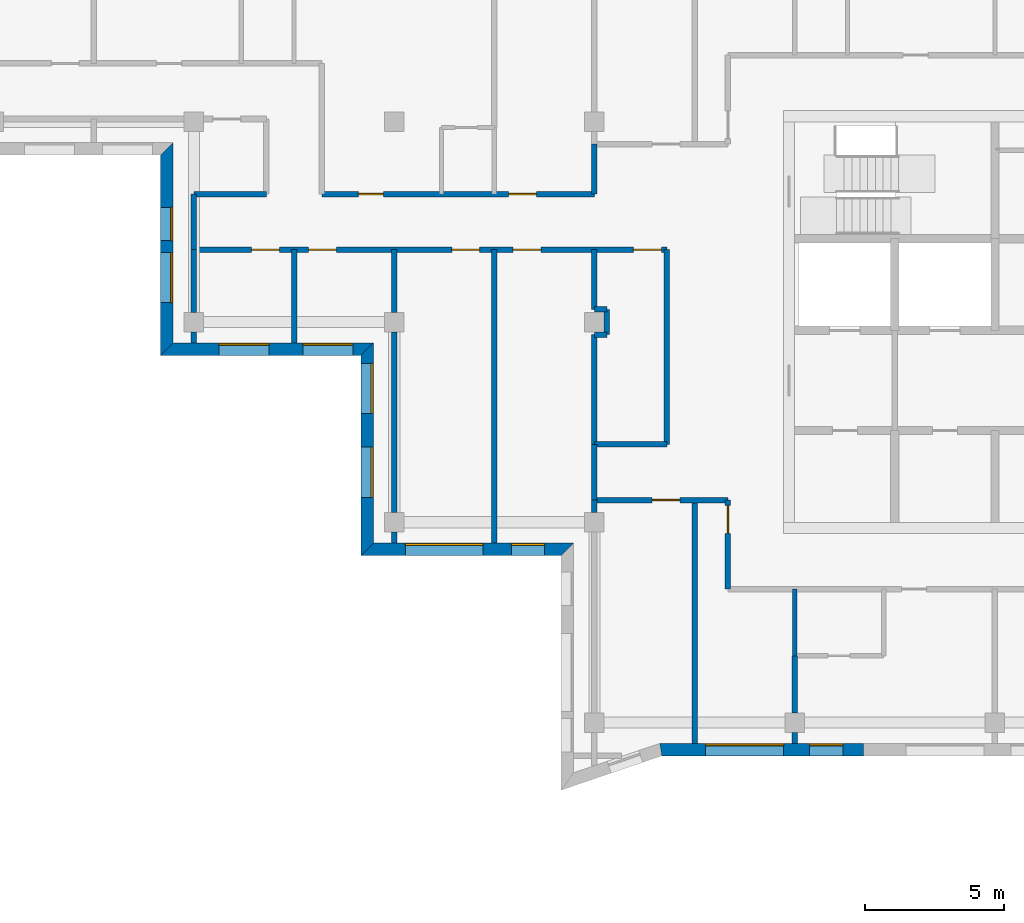
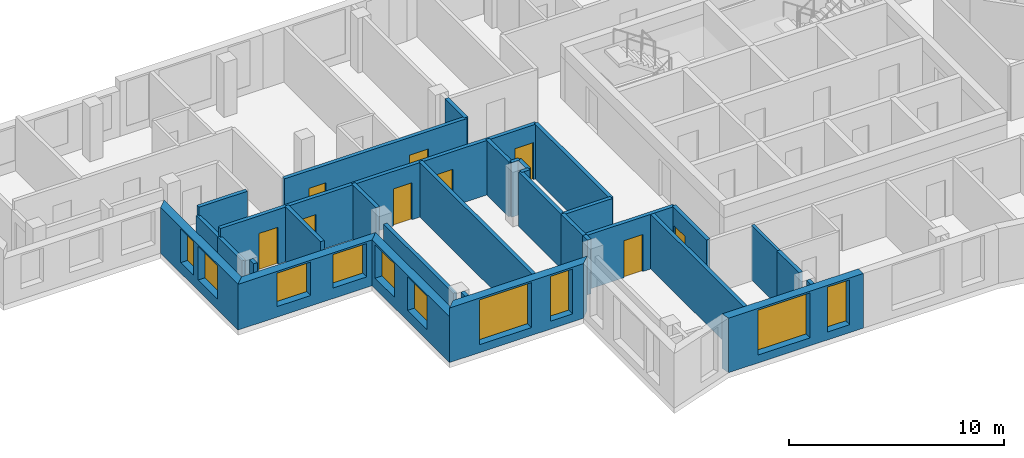
# One storey, part 2 of 11: 32 walls, 10 windows, 9 doors, 19 openings.
"""IFC4 building model written with IfcOpenShell, lengths in metres."""

from ifc_helpers import new_model, si_unit, direction, frame, frame_2d, origin, place, context, subcontext, project, spatial, polyline, rectangle, outline, extrude, material, layer, layer_set, type_object, element, fill, save


model = new_model("IFC4")

# Units and contexts
model_context = context("Model", 3, precision=1e-05, world=origin(), true_north=direction((0.0, 1.0)))
body_context = subcontext(model_context, "Body", "Model", "MODEL_VIEW")
ifc_project = project(units=[si_unit("LENGTHUNIT", "METRE"), si_unit("AREAUNIT", "SQUARE_METRE"), si_unit("VOLUMEUNIT", "CUBIC_METRE"), si_unit("PLANEANGLEUNIT", "RADIAN"), si_unit("MASSUNIT", "GRAM", prefix="KILO")], contexts=[model_context])

# Site, building, storey
site_placement = place(None, origin())
site = spatial("IfcSite", under=ifc_project, at=site_placement, CompositionType="ELEMENT")
building_placement = place(site_placement, origin())
building = spatial("IfcBuilding", under=site, at=building_placement, Name="Windrow Commons", CompositionType="ELEMENT")
storey_placement = place(building_placement, frame((0.0, 0.0, 281.2)))
storey = spatial("IfcBuildingStorey", under=building, at=storey_placement, Name="L77", CompositionType="ELEMENT", Elevation=281.2)

# Wall, openings, windows
ifc_material_1 = material(Name="Brick masonry, red clay brick", Category="masonry")
ifc_layer_1 = layer(ifc_material_1, 0.45)
ifc_layer_set_1 = layer_set([ifc_layer_1], Name="Brick facade wall 450")
wall_type_1 = type_object("IfcWallType", Name="Brick facade wall 450", PredefinedType="SOLIDWALL", material=ifc_layer_set_1)
wall_1_placement = place(storey_placement, frame((35.025, 63.825, 0.0), z_axis=(0.0, 0.0, 1.0), x_axis=(0.0, -1.0, 0.0)))
wall_1 = element("IfcWall", 1, at=wall_1_placement, inside=storey, type_object=wall_type_1, Name="Brick facade wall L77 24", PredefinedType="SOLIDWALL", context=body_context, shape_type="SweptSolid", body=[
    extrude(outline(polyline([(0.225, -0.225), (7.425, -0.225), (6.975, 0.225), (-0.225, 0.225), (0.225, -0.225)])), origin(), (0.0, 0.0, 1.0), 2.6),
])
opening_1_placement = place(wall_1_placement, frame((3.725, 0.0, 0.6)))
opening_1 = element("IfcOpeningElement", 2, at=opening_1_placement, cuts=wall_1, Name="Opening W1L", PredefinedType="OPENING", context=body_context, shape_type="SweptSolid", body=[
    extrude(rectangle(XDim=1.8, YDim=1.9, at=frame_2d((0.9, 0.95))), frame((0.0, 0.235, 0.0), z_axis=(0.0, -1.0, 0.0), x_axis=(1.0, 0.0, 0.0)), (0.0, 0.0, 1.0), 0.47),
])
opening_2_placement = place(wall_1_placement, frame((2.1, 0.0, 0.6)))
opening_2 = element("IfcOpeningElement", 3, at=opening_2_placement, cuts=wall_1, Name="Opening W7G", PredefinedType="OPENING", context=body_context, shape_type="SweptSolid", body=[
    extrude(rectangle(XDim=1.2, YDim=1.9, at=frame_2d((0.6, 0.95))), frame((0.0, 0.235, 0.0), z_axis=(0.0, -1.0, 0.0), x_axis=(1.0, 0.0, 0.0)), (0.0, 0.0, 1.0), 0.47),
])
ifc_material_2 = material(Name="Clear float glass in anodised aluminium frame", Category="aluminium")
window_type_1 = type_object("IfcWindowType", Name="Window W1L bedroom 1800x1900", PartitioningType="SINGLE_PANEL", PredefinedType="WINDOW", material=ifc_material_2)
window_1_placement = place(opening_1_placement, origin())
window_1 = element("IfcWindow", 4, at=window_1_placement, inside=storey, type_object=window_type_1, Name="Window L77 24.2", OverallHeight=1.9, OverallWidth=1.8, PartitioningType="SINGLE_PANEL", PredefinedType="WINDOW", context=body_context, shape_type="SweptSolid", body=[
    extrude(rectangle(XDim=1.8, YDim=1.9, at=frame_2d((0.9, 0.95))), frame((0.0, 0.205, 0.0), z_axis=(0.0, -1.0, 0.0), x_axis=(1.0, 0.0, 0.0)), (0.0, 0.0, 1.0), 0.06),
])
fill(opening_1, window_1)
ifc_material_3 = material(Name="Clear float glass in anodised aluminium frame", Category="aluminium")
window_type_2 = type_object("IfcWindowType", Name="Window W7 notch 1200x1900", PartitioningType="SINGLE_PANEL", PredefinedType="WINDOW", material=ifc_material_3)
window_2_placement = place(opening_2_placement, origin())
window_2 = element("IfcWindow", 5, at=window_2_placement, inside=storey, type_object=window_type_2, Name="Window L77 24.1A", OverallHeight=1.9, OverallWidth=1.2, PartitioningType="SINGLE_PANEL", PredefinedType="WINDOW", context=body_context, shape_type="SweptSolid", body=[
    extrude(rectangle(XDim=1.2, YDim=1.9, at=frame_2d((0.6, 0.95))), frame((0.0, 0.205, 0.0), z_axis=(0.0, -1.0, 0.0), x_axis=(1.0, 0.0, 0.0)), (0.0, 0.0, 1.0), 0.06),
])
fill(opening_2, window_2)

wall_2_placement = place(storey_placement, frame((35.025, 56.625, 0.0), z_axis=(0.0, 0.0, 1.0), x_axis=(1.0, 0.0, 0.0)))
wall_2 = element("IfcWall", 6, at=wall_2_placement, inside=storey, type_object=wall_type_1, Name="Brick facade wall L77 25", PredefinedType="SOLIDWALL", context=body_context, shape_type="SweptSolid", body=[
    extrude(outline(polyline([(-0.225, -0.225), (6.975, -0.225), (7.425, 0.225), (0.225, 0.225), (-0.225, -0.225)])), origin(), (0.0, 0.0, 1.0), 2.6),
])
opening_3_placement = place(wall_2_placement, frame((1.875, 0.0, 0.6)))
opening_3 = element("IfcOpeningElement", 7, at=opening_3_placement, cuts=wall_2, Name="Opening W1L", PredefinedType="OPENING", context=body_context, shape_type="SweptSolid", body=[
    extrude(rectangle(XDim=1.8, YDim=1.9, at=frame_2d((0.9, 0.95))), frame((0.0, 0.235, 0.0), z_axis=(0.0, -1.0, 0.0), x_axis=(1.0, 0.0, 0.0)), (0.0, 0.0, 1.0), 0.47),
])
opening_4_placement = place(wall_2_placement, frame((4.8875, 0.0, 0.6)))
opening_4 = element("IfcOpeningElement", 8, at=opening_4_placement, cuts=wall_2, Name="Opening W1L", PredefinedType="OPENING", context=body_context, shape_type="SweptSolid", body=[
    extrude(rectangle(XDim=1.8, YDim=1.9, at=frame_2d((0.9, 0.95))), frame((0.0, 0.235, 0.0), z_axis=(0.0, -1.0, 0.0), x_axis=(1.0, 0.0, 0.0)), (0.0, 0.0, 1.0), 0.47),
])
window_3_placement = place(opening_3_placement, origin())
window_3 = element("IfcWindow", 9, at=window_3_placement, inside=storey, type_object=window_type_1, Name="Window L77 25.1", OverallHeight=1.9, OverallWidth=1.8, PartitioningType="SINGLE_PANEL", PredefinedType="WINDOW", context=body_context, shape_type="SweptSolid", body=[
    extrude(rectangle(XDim=1.8, YDim=1.9, at=frame_2d((0.9, 0.95))), frame((0.0, 0.205, 0.0), z_axis=(0.0, -1.0, 0.0), x_axis=(1.0, 0.0, 0.0)), (0.0, 0.0, 1.0), 0.06),
])
fill(opening_3, window_3)
window_4_placement = place(opening_4_placement, origin())
window_4 = element("IfcWindow", 10, at=window_4_placement, inside=storey, type_object=window_type_1, Name="Window L77 25.2", OverallHeight=1.9, OverallWidth=1.8, PartitioningType="SINGLE_PANEL", PredefinedType="WINDOW", context=body_context, shape_type="SweptSolid", body=[
    extrude(rectangle(XDim=1.8, YDim=1.9, at=frame_2d((0.9, 0.95))), frame((0.0, 0.205, 0.0), z_axis=(0.0, -1.0, 0.0), x_axis=(1.0, 0.0, 0.0)), (0.0, 0.0, 1.0), 0.06),
])
fill(opening_4, window_4)

wall_3_placement = place(storey_placement, frame((42.225, 56.625, 0.0), z_axis=(0.0, 0.0, 1.0), x_axis=(0.0, -1.0, 0.0)))
wall_3 = element("IfcWall", 11, at=wall_3_placement, inside=storey, type_object=wall_type_1, Name="Brick facade wall L77 26", PredefinedType="SOLIDWALL", context=body_context, shape_type="SweptSolid", body=[
    extrude(outline(polyline([(0.225, -0.225), (7.425, -0.225), (6.975, 0.225), (-0.225, 0.225), (0.225, -0.225)])), origin(), (0.0, 0.0, 1.0), 2.6),
])
opening_5_placement = place(wall_3_placement, frame((0.5125, 0.0, 0.6)))
opening_5 = element("IfcOpeningElement", 12, at=opening_5_placement, cuts=wall_3, Name="Opening W1L", PredefinedType="OPENING", context=body_context, shape_type="SweptSolid", body=[
    extrude(rectangle(XDim=1.8, YDim=1.9, at=frame_2d((0.9, 0.95))), frame((0.0, 0.235, 0.0), z_axis=(0.0, -1.0, 0.0), x_axis=(1.0, 0.0, 0.0)), (0.0, 0.0, 1.0), 0.47),
])
opening_6_placement = place(wall_3_placement, frame((3.525, 0.0, 0.6)))
opening_6 = element("IfcOpeningElement", 13, at=opening_6_placement, cuts=wall_3, Name="Opening W1L", PredefinedType="OPENING", context=body_context, shape_type="SweptSolid", body=[
    extrude(rectangle(XDim=1.8, YDim=1.9, at=frame_2d((0.9, 0.95))), frame((0.0, 0.235, 0.0), z_axis=(0.0, -1.0, 0.0), x_axis=(1.0, 0.0, 0.0)), (0.0, 0.0, 1.0), 0.47),
])
window_5_placement = place(opening_5_placement, origin())
window_5 = element("IfcWindow", 14, at=window_5_placement, inside=storey, type_object=window_type_1, Name="Window L77 26.1", OverallHeight=1.9, OverallWidth=1.8, PartitioningType="SINGLE_PANEL", PredefinedType="WINDOW", context=body_context, shape_type="SweptSolid", body=[
    extrude(rectangle(XDim=1.8, YDim=1.9, at=frame_2d((0.9, 0.95))), frame((0.0, 0.205, 0.0), z_axis=(0.0, -1.0, 0.0), x_axis=(1.0, 0.0, 0.0)), (0.0, 0.0, 1.0), 0.06),
])
fill(opening_5, window_5)
window_6_placement = place(opening_6_placement, origin())
window_6 = element("IfcWindow", 15, at=window_6_placement, inside=storey, type_object=window_type_1, Name="Window L77 26.2", OverallHeight=1.9, OverallWidth=1.8, PartitioningType="SINGLE_PANEL", PredefinedType="WINDOW", context=body_context, shape_type="SweptSolid", body=[
    extrude(rectangle(XDim=1.8, YDim=1.9, at=frame_2d((0.9, 0.95))), frame((0.0, 0.205, 0.0), z_axis=(0.0, -1.0, 0.0), x_axis=(1.0, 0.0, 0.0)), (0.0, 0.0, 1.0), 0.06),
])
fill(opening_6, window_6)

wall_4_placement = place(storey_placement, frame((42.225, 49.425, 0.0), z_axis=(0.0, 0.0, 1.0), x_axis=(1.0, 0.0, 0.0)))
wall_4 = element("IfcWall", 16, at=wall_4_placement, inside=storey, type_object=wall_type_1, Name="Brick facade wall L77 27", PredefinedType="SOLIDWALL", context=body_context, shape_type="SweptSolid", body=[
    extrude(outline(polyline([(-0.225, -0.225), (6.975, -0.225), (7.425, 0.225), (0.225, 0.225), (-0.225, -0.225)])), origin(), (0.0, 0.0, 1.0), 3.1),
])
opening_7_placement = place(wall_4_placement, frame((1.375, 0.0, 0.45)))
opening_7 = element("IfcOpeningElement", 17, at=opening_7_placement, cuts=wall_4, Name="Opening W1V", PredefinedType="OPENING", context=body_context, shape_type="SweptSolid", body=[
    extrude(rectangle(XDim=2.8, YDim=2.55, at=frame_2d((1.4, 1.275))), frame((0.0, 0.235, 0.0), z_axis=(0.0, -1.0, 0.0), x_axis=(1.0, 0.0, 0.0)), (0.0, 0.0, 1.0), 0.47),
])
opening_8_placement = place(wall_4_placement, frame((5.1875, 0.0, 0.45)))
opening_8 = element("IfcOpeningElement", 18, at=opening_8_placement, cuts=wall_4, Name="Opening W7F", PredefinedType="OPENING", context=body_context, shape_type="SweptSolid", body=[
    extrude(rectangle(XDim=1.2, YDim=2.55, at=frame_2d((0.6, 1.275))), frame((0.0, 0.235, 0.0), z_axis=(0.0, -1.0, 0.0), x_axis=(1.0, 0.0, 0.0)), (0.0, 0.0, 1.0), 0.47),
])
ifc_material_4 = material(Name="Clear float glass in anodised aluminium frame", Category="aluminium")
window_type_3 = type_object("IfcWindowType", Name="Window W1V bedroom 2800x2550", PartitioningType="SINGLE_PANEL", PredefinedType="WINDOW", material=ifc_material_4)
window_7_placement = place(opening_7_placement, origin())
window_7 = element("IfcWindow", 19, at=window_7_placement, inside=storey, type_object=window_type_3, Name="Window L77 27.1", OverallHeight=2.55, OverallWidth=2.8, PartitioningType="SINGLE_PANEL", PredefinedType="WINDOW", context=body_context, shape_type="SweptSolid", body=[
    extrude(rectangle(XDim=2.8, YDim=2.55, at=frame_2d((1.4, 1.275))), frame((0.0, 0.205, 0.0), z_axis=(0.0, -1.0, 0.0), x_axis=(1.0, 0.0, 0.0)), (0.0, 0.0, 1.0), 0.06),
])
fill(opening_7, window_7)
ifc_material_5 = material(Name="Clear float glass in anodised aluminium frame", Category="aluminium")
window_type_4 = type_object("IfcWindowType", Name="Window W7 notch 1200x2550", PartitioningType="SINGLE_PANEL", PredefinedType="WINDOW", material=ifc_material_5)
window_8_placement = place(opening_8_placement, origin())
window_8 = element("IfcWindow", 20, at=window_8_placement, inside=storey, type_object=window_type_4, Name="Window L77 27.2", OverallHeight=2.55, OverallWidth=1.2, PartitioningType="SINGLE_PANEL", PredefinedType="WINDOW", context=body_context, shape_type="SweptSolid", body=[
    extrude(rectangle(XDim=1.2, YDim=2.55, at=frame_2d((0.6, 1.275))), frame((0.0, 0.205, 0.0), z_axis=(0.0, -1.0, 0.0), x_axis=(1.0, 0.0, 0.0)), (0.0, 0.0, 1.0), 0.06),
])
fill(opening_8, window_8)

wall_5_placement = place(storey_placement, frame((52.7864, 42.225, 0.0), z_axis=(0.0, 0.0, 1.0), x_axis=(1.0, 0.0, 0.0)))
wall_5 = element("IfcWall", 21, at=wall_5_placement, inside=storey, type_object=wall_type_1, Name="Brick facade wall L77 30", PredefinedType="SOLIDWALL", context=body_context, shape_type="SweptSolid", body=[
    extrude(outline(polyline([(0.0372, -0.225), (7.2845, -0.225), (7.2845, 0.225), (-0.0372, 0.225), (0.0372, -0.225)])), origin(), (0.0, 0.0, 1.0), 3.1),
])
opening_9_placement = place(wall_5_placement, frame((1.6136, 0.0, 0.45)))
opening_9 = element("IfcOpeningElement", 22, at=opening_9_placement, cuts=wall_5, Name="Opening W1V", PredefinedType="OPENING", context=body_context, shape_type="SweptSolid", body=[
    extrude(rectangle(XDim=2.8, YDim=2.55, at=frame_2d((1.4, 1.275))), frame((0.0, 0.235, 0.0), z_axis=(0.0, -1.0, 0.0), x_axis=(1.0, 0.0, 0.0)), (0.0, 0.0, 1.0), 0.47),
])
opening_10_placement = place(wall_5_placement, frame((5.349, 0.0, 0.45)))
opening_10 = element("IfcOpeningElement", 23, at=opening_10_placement, cuts=wall_5, Name="Opening W7F", PredefinedType="OPENING", context=body_context, shape_type="SweptSolid", body=[
    extrude(rectangle(XDim=1.2, YDim=2.55, at=frame_2d((0.6, 1.275))), frame((0.0, 0.235, 0.0), z_axis=(0.0, -1.0, 0.0), x_axis=(1.0, 0.0, 0.0)), (0.0, 0.0, 1.0), 0.47),
])
window_9_placement = place(opening_9_placement, origin())
window_9 = element("IfcWindow", 24, at=window_9_placement, inside=storey, type_object=window_type_3, Name="Window L77 30.1", OverallHeight=2.55, OverallWidth=2.8, PartitioningType="SINGLE_PANEL", PredefinedType="WINDOW", context=body_context, shape_type="SweptSolid", body=[
    extrude(rectangle(XDim=2.8, YDim=2.55, at=frame_2d((1.4, 1.275))), frame((0.0, 0.205, 0.0), z_axis=(0.0, -1.0, 0.0), x_axis=(1.0, 0.0, 0.0)), (0.0, 0.0, 1.0), 0.06),
])
fill(opening_9, window_9)
window_10_placement = place(opening_10_placement, origin())
window_10 = element("IfcWindow", 25, at=window_10_placement, inside=storey, type_object=window_type_4, Name="Window L77 30.2", OverallHeight=2.55, OverallWidth=1.2, PartitioningType="SINGLE_PANEL", PredefinedType="WINDOW", context=body_context, shape_type="SweptSolid", body=[
    extrude(rectangle(XDim=1.2, YDim=2.55, at=frame_2d((0.6, 1.275))), frame((0.0, 0.205, 0.0), z_axis=(0.0, -1.0, 0.0), x_axis=(1.0, 0.0, 0.0)), (0.0, 0.0, 1.0), 0.06),
])
fill(opening_10, window_10)

# Wall, openings, doors
ifc_material_6 = material(Name="Blockwork partition", Category="masonry")
ifc_layer_2 = layer(ifc_material_6, 0.2)
ifc_layer_set_2 = layer_set([ifc_layer_2], Name="IW-CORRIDOR-200")
wall_type_2 = type_object("IfcWallType", Name="IW-CORRIDOR-200", PredefinedType="PARTITIONING", material=ifc_layer_set_2)
wall_6_placement = place(storey_placement, frame((36.0, 60.2, 0.0), z_axis=(0.0, 0.0, 1.0), x_axis=(1.0, 0.0, 0.0)))
wall_6 = element("IfcWall", 26, at=wall_6_placement, inside=storey, type_object=wall_type_2, Name="W-L77-W002", PredefinedType="PARTITIONING", context=body_context, shape_type="SweptSolid", body=[
    extrude(rectangle(XDim=17.0, YDim=0.2, at=frame_2d((8.5, 0.0))), origin(), (0.0, 0.0, 1.0), 3.1),
])
opening_11_placement = place(wall_6_placement, frame((15.8022, 0.0, 0.0)))
opening_11 = element("IfcOpeningElement", 27, at=opening_11_placement, cuts=wall_6, Name="Opening D410F", PredefinedType="OPENING", context=body_context, shape_type="SweptSolid", body=[
    extrude(rectangle(XDim=1.0, YDim=2.1, at=frame_2d((0.5, 1.05))), frame((0.0, 0.11, 0.0), z_axis=(0.0, -1.0, 0.0), x_axis=(1.0, 0.0, 0.0)), (0.0, 0.0, 1.0), 0.22),
])
opening_12_placement = place(wall_6_placement, frame((2.075, 0.0, 0.0)))
opening_12 = element("IfcOpeningElement", 28, at=opening_12_placement, cuts=wall_6, Name="Opening D310F", PredefinedType="OPENING", context=body_context, shape_type="SweptSolid", body=[
    extrude(rectangle(XDim=1.0, YDim=2.1, at=frame_2d((0.5, 1.05))), frame((0.0, 0.11, 0.0), z_axis=(0.0, -1.0, 0.0), x_axis=(1.0, 0.0, 0.0)), (0.0, 0.0, 1.0), 0.22),
])
opening_13_placement = place(wall_6_placement, frame((4.125, 0.0, 0.0)))
opening_13 = element("IfcOpeningElement", 29, at=opening_13_placement, cuts=wall_6, Name="Opening D310F", PredefinedType="OPENING", context=body_context, shape_type="SweptSolid", body=[
    extrude(rectangle(XDim=1.0, YDim=2.1, at=frame_2d((0.5, 1.05))), frame((0.0, 0.11, 0.0), z_axis=(0.0, -1.0, 0.0), x_axis=(1.0, 0.0, 0.0)), (0.0, 0.0, 1.0), 0.22),
])
opening_14_placement = place(wall_6_placement, frame((9.275, 0.0, 0.0)))
opening_14 = element("IfcOpeningElement", 30, at=opening_14_placement, cuts=wall_6, Name="Opening D310F", PredefinedType="OPENING", context=body_context, shape_type="SweptSolid", body=[
    extrude(rectangle(XDim=1.0, YDim=2.1, at=frame_2d((0.5, 1.05))), frame((0.0, 0.11, 0.0), z_axis=(0.0, -1.0, 0.0), x_axis=(1.0, 0.0, 0.0)), (0.0, 0.0, 1.0), 0.22),
])
opening_15_placement = place(wall_6_placement, frame((11.48, 0.0, 0.0)))
opening_15 = element("IfcOpeningElement", 31, at=opening_15_placement, cuts=wall_6, Name="Opening D310F", PredefinedType="OPENING", context=body_context, shape_type="SweptSolid", body=[
    extrude(rectangle(XDim=1.0, YDim=2.1, at=frame_2d((0.5, 1.05))), frame((0.0, 0.11, 0.0), z_axis=(0.0, -1.0, 0.0), x_axis=(1.0, 0.0, 0.0)), (0.0, 0.0, 1.0), 0.22),
])
ifc_material_7 = material(Name="Timber door leaf", Category="wood")
door_type_1 = type_object("IfcDoorType", Name="DT-AMENITY-1000", OperationType="SINGLE_SWING_LEFT", PredefinedType="DOOR", material=ifc_material_7)
door_1_placement = place(opening_12_placement, origin())
door_1 = element("IfcDoor", 32, at=door_1_placement, inside=storey, type_object=door_type_1, Name="D-L77-D015", OperationType="SINGLE_SWING_LEFT", OverallHeight=2.1, OverallWidth=1.0, PredefinedType="DOOR", context=body_context, shape_type="SweptSolid", body=[
    extrude(rectangle(XDim=1.0, YDim=2.1, at=frame_2d((0.5, 1.05))), frame((0.0, 0.025, 0.0), z_axis=(0.0, -1.0, 0.0), x_axis=(1.0, 0.0, 0.0)), (0.0, 0.0, 1.0), 0.05),
])
fill(opening_12, door_1)
door_2_placement = place(opening_13_placement, origin())
door_2 = element("IfcDoor", 33, at=door_2_placement, inside=storey, type_object=door_type_1, Name="D-L77-D016", OperationType="SINGLE_SWING_RIGHT", OverallHeight=2.1, OverallWidth=1.0, PredefinedType="DOOR", context=body_context, shape_type="SweptSolid", body=[
    extrude(rectangle(XDim=1.0, YDim=2.1, at=frame_2d((0.5, 1.05))), frame((0.0, 0.025, 0.0), z_axis=(0.0, -1.0, 0.0), x_axis=(1.0, 0.0, 0.0)), (0.0, 0.0, 1.0), 0.05),
])
fill(opening_13, door_2)
door_3_placement = place(opening_14_placement, origin())
door_3 = element("IfcDoor", 34, at=door_3_placement, inside=storey, type_object=door_type_1, Name="D-L77-D017", OperationType="SINGLE_SWING_LEFT", OverallHeight=2.1, OverallWidth=1.0, PredefinedType="DOOR", context=body_context, shape_type="SweptSolid", body=[
    extrude(rectangle(XDim=1.0, YDim=2.1, at=frame_2d((0.5, 1.05))), frame((0.0, 0.025, 0.0), z_axis=(0.0, -1.0, 0.0), x_axis=(1.0, 0.0, 0.0)), (0.0, 0.0, 1.0), 0.05),
])
fill(opening_14, door_3)
door_4_placement = place(opening_15_placement, origin())
door_4 = element("IfcDoor", 35, at=door_4_placement, inside=storey, type_object=door_type_1, Name="D-L77-D021", OperationType="SINGLE_SWING_RIGHT", OverallHeight=2.1, OverallWidth=1.0, PredefinedType="DOOR", context=body_context, shape_type="SweptSolid", body=[
    extrude(rectangle(XDim=1.0, YDim=2.1, at=frame_2d((0.5, 1.05))), frame((0.0, 0.025, 0.0), z_axis=(0.0, -1.0, 0.0), x_axis=(1.0, 0.0, 0.0)), (0.0, 0.0, 1.0), 0.05),
])
fill(opening_15, door_4)
ifc_material_8 = material(Name="Timber door leaf", Category="wood")
door_type_2 = type_object("IfcDoorType", Name="DT-SERVICE-1000", OperationType="SINGLE_SWING_LEFT", PredefinedType="DOOR", material=ifc_material_8)
door_5_placement = place(opening_11_placement, origin())
door_5 = element("IfcDoor", 36, at=door_5_placement, inside=storey, type_object=door_type_2, Name="D-L77-D000", OperationType="SINGLE_SWING_LEFT", OverallHeight=2.1, OverallWidth=1.0, PredefinedType="DOOR", context=body_context, shape_type="SweptSolid", body=[
    extrude(rectangle(XDim=1.0, YDim=2.1, at=frame_2d((0.5, 1.05))), frame((0.0, 0.025, 0.0), z_axis=(0.0, -1.0, 0.0), x_axis=(1.0, 0.0, 0.0)), (0.0, 0.0, 1.0), 0.05),
])
fill(opening_11, door_5)

wall_7_placement = place(storey_placement, frame((40.602, 62.2, 0.0), z_axis=(0.0, 0.0, 1.0), x_axis=(1.0, 0.0, 0.0)))
wall_7 = element("IfcWall", 37, at=wall_7_placement, inside=storey, type_object=wall_type_2, Name="W-L77-W007", PredefinedType="PARTITIONING", context=body_context, shape_type="SweptSolid", body=[
    extrude(rectangle(XDim=9.798, YDim=0.2, at=frame_2d((4.899, 0.0))), origin(), (0.0, 0.0, 1.0), 3.1),
])
opening_16_placement = place(wall_7_placement, frame((1.3056, 0.0, 0.0)))
opening_16 = element("IfcOpeningElement", 38, at=opening_16_placement, cuts=wall_7, Name="Opening D109F", PredefinedType="OPENING", context=body_context, shape_type="SweptSolid", body=[
    extrude(rectangle(XDim=0.9, YDim=2.1, at=frame_2d((0.45, 1.05))), frame((0.0, 0.11, 0.0), z_axis=(0.0, -1.0, 0.0), x_axis=(1.0, 0.0, 0.0)), (0.0, 0.0, 1.0), 0.22),
])
opening_17_placement = place(wall_7_placement, frame((6.7113, 0.0, 0.0)))
opening_17 = element("IfcOpeningElement", 39, at=opening_17_placement, cuts=wall_7, Name="Opening D310F", PredefinedType="OPENING", context=body_context, shape_type="SweptSolid", body=[
    extrude(rectangle(XDim=1.0, YDim=2.1, at=frame_2d((0.5, 1.05))), frame((0.0, 0.11, 0.0), z_axis=(0.0, -1.0, 0.0), x_axis=(1.0, 0.0, 0.0)), (0.0, 0.0, 1.0), 0.22),
])
door_6_placement = place(opening_17_placement, origin())
door_6 = element("IfcDoor", 40, at=door_6_placement, inside=storey, type_object=door_type_1, Name="D-L77-D020", OperationType="SINGLE_SWING_LEFT", OverallHeight=2.1, OverallWidth=1.0, PredefinedType="DOOR", context=body_context, shape_type="SweptSolid", body=[
    extrude(rectangle(XDim=1.0, YDim=2.1, at=frame_2d((0.5, 1.05))), frame((0.0, 0.025, 0.0), z_axis=(0.0, -1.0, 0.0), x_axis=(1.0, 0.0, 0.0)), (0.0, 0.0, 1.0), 0.05),
])
fill(opening_17, door_6)
ifc_material_9 = material(Name="Timber door leaf", Category="wood")
door_type_3 = type_object("IfcDoorType", Name="DT-BEDROOM-900", OperationType="SINGLE_SWING_LEFT", PredefinedType="DOOR", material=ifc_material_9)
door_7_placement = place(opening_16_placement, origin())
door_7 = element("IfcDoor", 41, at=door_7_placement, inside=storey, type_object=door_type_3, Name="D-L77-D018", OperationType="SINGLE_SWING_LEFT", OverallHeight=2.1, OverallWidth=0.9, PredefinedType="DOOR", context=body_context, shape_type="SweptSolid", body=[
    extrude(rectangle(XDim=0.9, YDim=2.1, at=frame_2d((0.45, 1.05))), frame((0.0, 0.025, 0.0), z_axis=(0.0, -1.0, 0.0), x_axis=(1.0, 0.0, 0.0)), (0.0, 0.0, 1.0), 0.05),
])
fill(opening_16, door_7)

# Wall
wall_8_placement = place(storey_placement, frame((53.0, 53.202, 0.0), z_axis=(0.0, 0.0, 1.0), x_axis=(0.0, 1.0, 0.0)))
element("IfcWall", 42, at=wall_8_placement, inside=storey, type_object=wall_type_2, Name="W-L77-W017", PredefinedType="PARTITIONING", context=body_context, shape_type="SweptSolid", body=[
    extrude(rectangle(XDim=6.998, YDim=0.2, at=frame_2d((3.499, 0.0))), origin(), (0.0, 0.0, 1.0), 3.1),
])

# Wall, opening, door
wall_9_placement = place(storey_placement, frame((50.4, 51.2, 0.0), z_axis=(0.0, 0.0, 1.0), x_axis=(1.0, 0.0, 0.0)))
wall_9 = element("IfcWall", 43, at=wall_9_placement, inside=storey, type_object=wall_type_2, Name="W-L77-W030", PredefinedType="PARTITIONING", context=body_context, shape_type="SweptSolid", body=[
    extrude(rectangle(XDim=4.8, YDim=0.2, at=frame_2d((2.4, 0.0))), origin(), (0.0, 0.0, 1.0), 3.1),
])
opening_18_placement = place(wall_9_placement, frame((2.075, 0.0, 0.0)))
opening_18 = element("IfcOpeningElement", 44, at=opening_18_placement, cuts=wall_9, Name="Opening D310F", PredefinedType="OPENING", context=body_context, shape_type="SweptSolid", body=[
    extrude(rectangle(XDim=1.0, YDim=2.1, at=frame_2d((0.5, 1.05))), frame((0.0, 0.11, 0.0), z_axis=(0.0, -1.0, 0.0), x_axis=(1.0, 0.0, 0.0)), (0.0, 0.0, 1.0), 0.22),
])
door_8_placement = place(opening_18_placement, origin())
door_8 = element("IfcDoor", 45, at=door_8_placement, inside=storey, type_object=door_type_1, Name="D-L77-D022", OperationType="SINGLE_SWING_LEFT", OverallHeight=2.1, OverallWidth=1.0, PredefinedType="DOOR", context=body_context, shape_type="SweptSolid", body=[
    extrude(rectangle(XDim=1.0, YDim=2.1, at=frame_2d((0.5, 1.05))), frame((0.0, 0.025, 0.0), z_axis=(0.0, -1.0, 0.0), x_axis=(1.0, 0.0, 0.0)), (0.0, 0.0, 1.0), 0.05),
])
fill(opening_18, door_8)

wall_10_placement = place(storey_placement, frame((55.2, 48.0, 0.0), z_axis=(0.0, 0.0, 1.0), x_axis=(0.0, 1.0, 0.0)))
wall_10 = element("IfcWall", 46, at=wall_10_placement, inside=storey, type_object=wall_type_2, Name="W-L77-W047", PredefinedType="PARTITIONING", context=body_context, shape_type="SweptSolid", body=[
    extrude(rectangle(XDim=3.2, YDim=0.2, at=frame_2d((1.6, 0.0))), origin(), (0.0, 0.0, 1.0), 3.1),
])
opening_19_placement = place(wall_10_placement, frame((2.0043, 0.0, 0.0)))
opening_19 = element("IfcOpeningElement", 47, at=opening_19_placement, cuts=wall_10, Name="Opening D310F", PredefinedType="OPENING", context=body_context, shape_type="SweptSolid", body=[
    extrude(rectangle(XDim=1.0, YDim=2.1, at=frame_2d((0.5, 1.05))), frame((0.0, 0.11, 0.0), z_axis=(0.0, -1.0, 0.0), x_axis=(1.0, 0.0, 0.0)), (0.0, 0.0, 1.0), 0.22),
])
door_9_placement = place(opening_19_placement, origin())
door_9 = element("IfcDoor", 48, at=door_9_placement, inside=storey, type_object=door_type_1, Name="D-L77-D023", OperationType="SINGLE_SWING_RIGHT", OverallHeight=2.1, OverallWidth=1.0, PredefinedType="DOOR", context=body_context, shape_type="SweptSolid", body=[
    extrude(rectangle(XDim=1.0, YDim=2.1, at=frame_2d((0.5, 1.05))), frame((0.0, 0.025, 0.0), z_axis=(0.0, -1.0, 0.0), x_axis=(1.0, 0.0, 0.0)), (0.0, 0.0, 1.0), 0.05),
])
fill(opening_19, door_9)

# Walls
wall_11_placement = place(storey_placement, frame((50.4, 53.2, 0.0), z_axis=(0.0, 0.0, 1.0), x_axis=(1.0, 0.0, 0.0)))
element("IfcWall", 49, at=wall_11_placement, inside=storey, type_object=wall_type_2, Name="W-L77-W059", PredefinedType="PARTITIONING", context=body_context, shape_type="SweptSolid", body=[
    extrude(rectangle(XDim=2.6, YDim=0.2, at=frame_2d((1.3, 0.0))), origin(), (0.0, 0.0, 1.0), 3.1),
])
wall_12_placement = place(storey_placement, frame((36.002, 62.2, 0.0), z_axis=(0.0, 0.0, 1.0), x_axis=(1.0, 0.0, 0.0)))
element("IfcWall", 50, at=wall_12_placement, inside=storey, type_object=wall_type_2, Name="W-L77-W060", PredefinedType="PARTITIONING", context=body_context, shape_type="SweptSolid", body=[
    extrude(rectangle(XDim=2.598, YDim=0.2, at=frame_2d((1.299, 0.0))), origin(), (0.0, 0.0, 1.0), 3.1),
])
wall_13_placement = place(storey_placement, frame((36.0, 60.2, 0.0), z_axis=(0.0, 0.0, 1.0), x_axis=(0.0, 1.0, 0.0)))
element("IfcWall", 51, at=wall_13_placement, inside=storey, type_object=wall_type_2, Name="W-L77-W086", PredefinedType="PARTITIONING", context=body_context, shape_type="SweptSolid", body=[
    extrude(rectangle(XDim=2.0, YDim=0.2, at=frame_2d((1.0, 0.0))), origin(), (0.0, 0.0, 1.0), 2.6),
])
wall_14_placement = place(storey_placement, frame((50.4, 51.2, 0.0), z_axis=(0.0, 0.0, 1.0), x_axis=(0.0, 1.0, 0.0)))
element("IfcWall", 52, at=wall_14_placement, inside=storey, type_object=wall_type_2, Name="W-L77-W087", PredefinedType="PARTITIONING", context=body_context, shape_type="SweptSolid", body=[
    extrude(rectangle(XDim=2.0, YDim=0.2, at=frame_2d((1.0, 0.0))), origin(), (0.0, 0.0, 1.0), 3.1),
])
wall_15_placement = place(storey_placement, frame((50.4, 62.202, 0.0), z_axis=(0.0, 0.0, 1.0), x_axis=(0.0, 1.0, 0.0)))
element("IfcWall", 53, at=wall_15_placement, inside=storey, type_object=wall_type_2, Name="W-L77-W100", PredefinedType="PARTITIONING", context=body_context, shape_type="SweptSolid", body=[
    extrude(rectangle(XDim=1.798, YDim=0.2, at=frame_2d((0.899, 0.0))), origin(), (0.0, 0.0, 1.0), 3.1),
])
ifc_material_10 = material(Name="Blockwork partition", Category="masonry")
ifc_layer_3 = layer(ifc_material_10, 0.15)
ifc_layer_set_3 = layer_set([ifc_layer_3], Name="IW-ENSUITE-150")
wall_type_3 = type_object("IfcWallType", Name="IW-ENSUITE-150", PredefinedType="PARTITIONING", material=ifc_layer_set_3)
wall_16_placement = place(storey_placement, frame((57.6, 45.6, 0.0), z_axis=(0.0, 0.0, 1.0), x_axis=(0.0, 1.0, 0.0)))
element("IfcWall", 54, at=wall_16_placement, inside=storey, type_object=wall_type_3, Name="W-L77-W066", PredefinedType="PARTITIONING", context=body_context, shape_type="SweptSolid", body=[
    extrude(rectangle(XDim=2.4, YDim=0.15, at=frame_2d((1.2, 0.0))), origin(), (0.0, 0.0, 1.0), 3.1),
])
ifc_material_11 = material(Name="Blockwork partition", Category="masonry")
ifc_layer_4 = layer(ifc_material_11, 0.2)
ifc_layer_set_4 = layer_set([ifc_layer_4], Name="IW-PARTY-200")
wall_type_4 = type_object("IfcWallType", Name="IW-PARTY-200", PredefinedType="PARTITIONING", material=ifc_layer_set_4)
wall_17_placement = place(storey_placement, frame((46.8, 49.65, 0.0), z_axis=(0.0, 0.0, 1.0), x_axis=(0.0, 1.0, 0.0)))
element("IfcWall", 55, at=wall_17_placement, inside=storey, type_object=wall_type_4, Name="W-L77-W005", PredefinedType="PARTITIONING", context=body_context, shape_type="SweptSolid", body=[
    extrude(rectangle(XDim=10.55, YDim=0.2, at=frame_2d((5.275, 0.0))), origin(), (0.0, 0.0, 1.0), 3.1),
])
wall_18_placement = place(storey_placement, frame((54.0, 42.45, 0.0), z_axis=(0.0, 0.0, 1.0), x_axis=(0.0, 1.0, 0.0)))
element("IfcWall", 56, at=wall_18_placement, inside=storey, type_object=wall_type_4, Name="W-L77-W011", PredefinedType="PARTITIONING", context=body_context, shape_type="SweptSolid", body=[
    extrude(rectangle(XDim=8.75, YDim=0.2, at=frame_2d((4.375, 0.0))), origin(), (0.0, 0.0, 1.0), 3.1),
])
wall_19_placement = place(storey_placement, frame((43.2, 50.75, 0.0), z_axis=(0.0, 0.0, 1.0), x_axis=(0.0, 1.0, 0.0)))
element("IfcWall", 57, at=wall_19_placement, inside=storey, type_object=wall_type_4, Name="W-L77-W020", PredefinedType="PARTITIONING", context=body_context, shape_type="SweptSolid", body=[
    extrude(rectangle(XDim=6.5, YDim=0.2, at=frame_2d((3.25, 0.0))), origin(), (0.0, 0.0, 1.0), 2.6),
])
wall_20_placement = place(storey_placement, frame((50.4, 53.2, 0.0), z_axis=(0.0, 0.0, 1.0), x_axis=(0.0, 1.0, 0.0)))
element("IfcWall", 58, at=wall_20_placement, inside=storey, type_object=wall_type_4, Name="W-L77-W042", PredefinedType="PARTITIONING", context=body_context, shape_type="SweptSolid", body=[
    extrude(rectangle(XDim=3.944, YDim=0.2, at=frame_2d((1.972, 0.0))), origin(), (0.0, 0.0, 1.0), 3.1),
])
wall_21_placement = place(storey_placement, frame((39.6, 56.85, 0.0), z_axis=(0.0, 0.0, 1.0), x_axis=(0.0, 1.0, 0.0)))
element("IfcWall", 59, at=wall_21_placement, inside=storey, type_object=wall_type_4, Name="W-L77-W044", PredefinedType="PARTITIONING", context=body_context, shape_type="SweptSolid", body=[
    extrude(rectangle(XDim=3.35, YDim=0.2, at=frame_2d((1.675, 0.0))), origin(), (0.0, 0.0, 1.0), 3.1),
])
wall_22_placement = place(storey_placement, frame((36.0, 57.95, 0.0), z_axis=(0.0, 0.0, 1.0), x_axis=(0.0, 1.0, 0.0)))
element("IfcWall", 60, at=wall_22_placement, inside=storey, type_object=wall_type_4, Name="W-L77-W077", PredefinedType="PARTITIONING", context=body_context, shape_type="SweptSolid", body=[
    extrude(rectangle(XDim=2.25, YDim=0.2, at=frame_2d((1.125, 0.0))), origin(), (0.0, 0.0, 1.0), 2.6),
])
wall_23_placement = place(storey_placement, frame((43.2, 57.95, 0.0), z_axis=(0.0, 0.0, 1.0), x_axis=(0.0, 1.0, 0.0)))
element("IfcWall", 61, at=wall_23_placement, inside=storey, type_object=wall_type_4, Name="W-L77-W078", PredefinedType="PARTITIONING", context=body_context, shape_type="SweptSolid", body=[
    extrude(rectangle(XDim=2.25, YDim=0.2, at=frame_2d((1.125, 0.0))), origin(), (0.0, 0.0, 1.0), 3.1),
])
wall_24_placement = place(storey_placement, frame((50.4, 58.056, 0.0), z_axis=(0.0, 0.0, 1.0), x_axis=(0.0, 1.0, 0.0)))
element("IfcWall", 62, at=wall_24_placement, inside=storey, type_object=wall_type_4, Name="W-L77-W079", PredefinedType="PARTITIONING", context=body_context, shape_type="SweptSolid", body=[
    extrude(rectangle(XDim=2.144, YDim=0.2, at=frame_2d((1.072, 0.0))), origin(), (0.0, 0.0, 1.0), 3.1),
])
wall_25_placement = place(storey_placement, frame((57.6, 43.55, 0.0), z_axis=(0.0, 0.0, 1.0), x_axis=(0.0, 1.0, 0.0)))
element("IfcWall", 63, at=wall_25_placement, inside=storey, type_object=wall_type_4, Name="W-L77-W084", PredefinedType="PARTITIONING", context=body_context, shape_type="SweptSolid", body=[
    extrude(rectangle(XDim=2.05, YDim=0.2, at=frame_2d((1.025, 0.0))), origin(), (0.0, 0.0, 1.0), 3.1),
])
wall_26_placement = place(storey_placement, frame((50.85, 57.144, 0.0), z_axis=(0.0, 0.0, 1.0), x_axis=(0.0, 1.0, 0.0)))
element("IfcWall", 64, at=wall_26_placement, inside=storey, type_object=wall_type_4, Name="W-L77-W109", PredefinedType="PARTITIONING", context=body_context, shape_type="SweptSolid", body=[
    extrude(rectangle(XDim=0.912, YDim=0.2, at=frame_2d((0.456, 0.0))), origin(), (0.0, 0.0, 1.0), 3.1),
])
for number, where, z_axis, x_axis, name in (
    (65, (50.4, 50.75, 0.0), (0.0, 0.0, 1.0), (0.0, 1.0, 0.0), "W-L77-W130"),
    (66, (50.4, 57.14, 0.0), (0.0, 0.0, 1.0), (1.0, 0.0, 0.0), "W-L77-W132"),
    (67, (50.4, 58.06, 0.0), (0.0, 0.0, 1.0), (1.0, 0.0, 0.0), "W-L77-W133"),
):
    element("IfcWall", number, at=place(storey_placement, frame(where, z_axis=z_axis, x_axis=x_axis)), inside=storey, type_object=wall_type_4, Name=name, PredefinedType="PARTITIONING", context=body_context, shape_type="SweptSolid", body=[
        extrude(rectangle(XDim=0.45, YDim=0.2, at=frame_2d((0.225, 0.0))), origin(), (0.0, 0.0, 1.0), 3.1),
    ])
for number, where, z_axis, x_axis, name in (
    (68, (36.0, 56.85, 0.0), (0.0, 0.0, 1.0), (0.0, 1.0, 0.0), "W-L77-W142"),
    (69, (57.6, 42.45, 0.0), (0.0, 0.0, 1.0), (0.0, 1.0, 0.0), "W-L77-W143"),
    (70, (43.2, 49.65, 0.0), (0.0, 0.0, 1.0), (0.0, 1.0, 0.0), "W-L77-W145"),
):
    element("IfcWall", number, at=place(storey_placement, frame(where, z_axis=z_axis, x_axis=x_axis)), inside=storey, type_object=wall_type_4, Name=name, PredefinedType="PARTITIONING", context=body_context, shape_type="SweptSolid", body=[
        extrude(rectangle(XDim=0.4, YDim=0.2, at=frame_2d((0.2, 0.0))), origin(), (0.0, 0.0, 1.0), 3.1),
    ])

save(model, "model.ifc")
